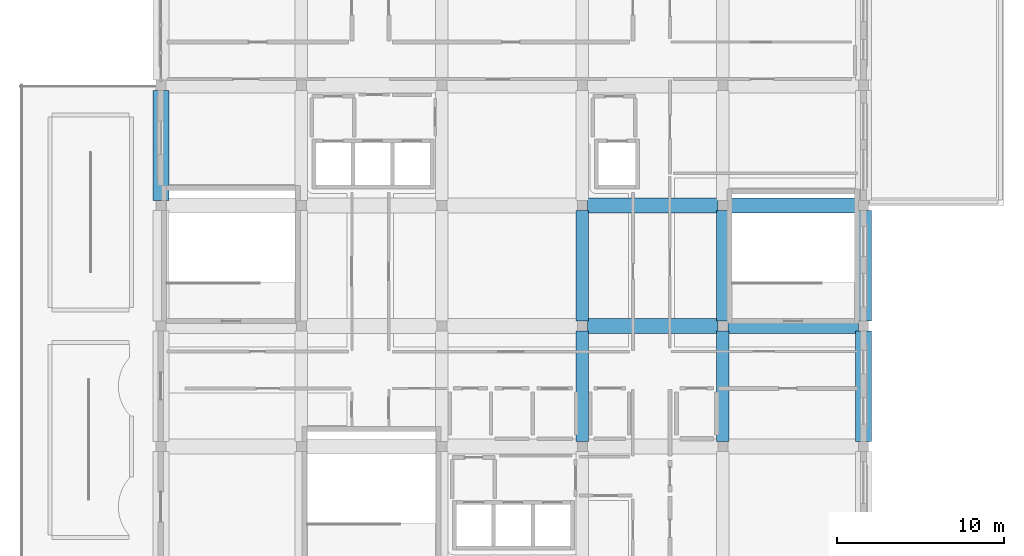
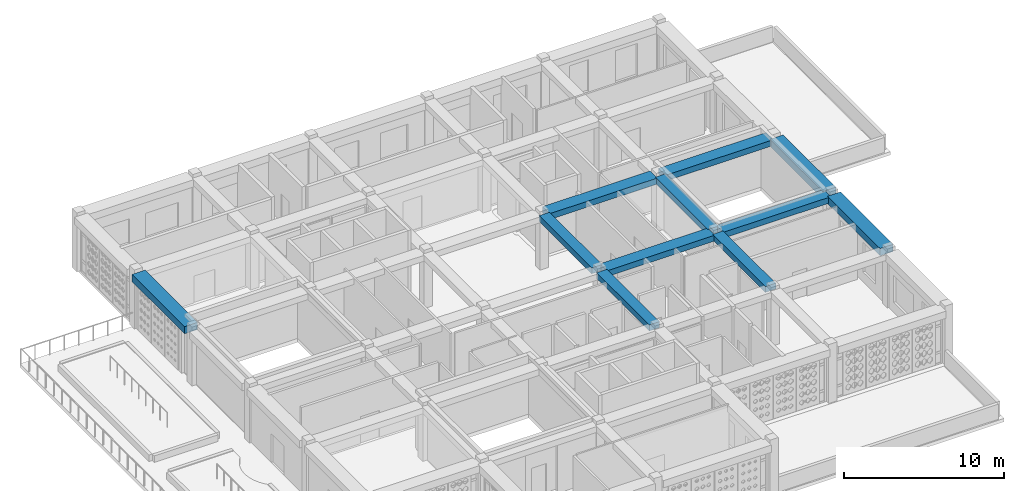
# One storey, part 8 of 28: 11 beams.
"""IFC4 building model written with IfcOpenShell, lengths in metres."""

from ifc_helpers import new_model, si_unit, derived_unit, direction, frame, origin, origin_2d, place, context, subcontext, project, spatial, rectangle, extrude, material, material_profile, profile_set, type_object, element, save


model = new_model("IFC4")

# Units and contexts
model_context = context("Model", 3, precision=1e-05, world=origin(), true_north=direction((0.0, 1.0)))
body_context = subcontext(model_context, "Body", "Model", "MODEL_VIEW")
ifc_project = project(units=[si_unit("LENGTHUNIT", "METRE"), si_unit("AREAUNIT", "SQUARE_METRE"), si_unit("VOLUMEUNIT", "CUBIC_METRE"), si_unit("PLANEANGLEUNIT", "RADIAN"), si_unit("MASSUNIT", "GRAM", prefix="KILO"), derived_unit("THERMALTRANSMITTANCEUNIT", [(si_unit("POWERUNIT", "WATT"), 1), (si_unit("LENGTHUNIT", "METRE"), -2), (si_unit("THERMODYNAMICTEMPERATUREUNIT", "KELVIN"), -1)])], contexts=[model_context])

# Site, building, storey
site_placement = place(None, origin())
site = spatial("IfcSite", under=ifc_project, at=site_placement, CompositionType="ELEMENT")
building_placement = place(site_placement, origin())
building = spatial("IfcBuilding", under=site, at=building_placement, Name="Veybourne Emporium", CompositionType="ELEMENT")
storey_placement = place(building_placement, frame((0.0, 0.0, 32.10009765625)))
storey = spatial("IfcBuildingStorey", under=building, at=storey_placement, Name="L07", CompositionType="ELEMENT", Elevation=32.10009765625)

# Beams
ifc_material = material(Name="Concrete C32/40", Category="concrete")
ifc_material_profile_1 = material_profile(ifc_material, rectangle(XDim=0.89990234375, YDim=0.449951171875, at=origin_2d()), Name="RC 900x450")
ifc_profile_set_1 = profile_set([ifc_material_profile_1], Name="Concrete C32/40")
beam_type_1 = type_object("IfcBeamType", Name="RCBeam_BB-03", PredefinedType="BEAM", material=ifc_profile_set_1)
for number, where, z_axis, x_axis, name in (
    (1, (33.89990234375, 28.800048828125, 4.014892578125), (1.0, 0.0, 0.0), (0.0, 1.0, 0.0), "L07 X-grid beam BB-03 (4,4)"),
    (2, (33.89990234375, 36.0, 4.014892578125), (1.0, 0.0, 0.0), (0.0, 1.0, 0.0), "L07 X-grid beam BB-03 (4,5)"),
    (3, (42.300048828125, 28.800048828125, 4.014892578125), (1.0, 0.0, 0.0), (0.0, 1.0, 0.0), "L07 X-grid beam BB-03 (5,4)"),
    (4, (42.300048828125, 36.0, 4.014892578125), (1.0, 0.0, 0.0), (0.0, 1.0, 0.0), "L07 X-grid beam BB-03 (5,5)"),
):
    element("IfcBeam", number, at=place(storey_placement, frame(where, z_axis=z_axis, x_axis=x_axis)), inside=storey, type_object=beam_type_1, Name=name, PredefinedType="BEAM", context=body_context, shape_type="SweptSolid", body=[
        extrude(rectangle(XDim=0.89990234375, YDim=0.449951171875, at=origin_2d()), origin(), (0.0, 0.0, 1.0), 7.800048828125),
    ])
ifc_material_profile_2 = material_profile(ifc_material, rectangle(XDim=0.75, YDim=0.449951171875, at=origin_2d()), Name="RC 750x450")
ifc_profile_set_2 = profile_set([ifc_material_profile_2], Name="Concrete C32/40")
beam_type_2 = type_object("IfcBeamType", Name="RCBeam_BB-04", PredefinedType="BEAM", material=ifc_profile_set_2)
beam_1_placement = place(storey_placement, frame((33.60009765625, 21.89990234375, 4.014892578125), z_axis=(0.0, 1.0, 0.0), x_axis=(-1.0, 0.0, 0.0)))
element("IfcBeam", 5, at=beam_1_placement, inside=storey, type_object=beam_type_2, Name="L07 Y-grid beam BB-04 (4,3)", PredefinedType="BEAM", context=body_context, shape_type="SweptSolid", body=[
    extrude(rectangle(XDim=0.75, YDim=0.449951171875, at=origin_2d()), origin(), (0.0, 0.0, 1.0), 6.60009765625),
])
beam_2_placement = place(storey_placement, frame((33.60009765625, 29.10009765625, 4.014892578125), z_axis=(0.0, 1.0, 0.0), x_axis=(-1.0, 0.0, 0.0)))
element("IfcBeam", 6, at=beam_2_placement, inside=storey, type_object=beam_type_2, Name="L07 Y-grid beam BB-04 (4,4)", PredefinedType="BEAM", context=body_context, shape_type="SweptSolid", body=[
    extrude(rectangle(XDim=0.75, YDim=0.449951171875, at=origin_2d()), origin(), (0.0, 0.0, 1.0), 6.599853515625),
])
beam_3_placement = place(storey_placement, frame((42.0, 21.89990234375, 4.014892578125), z_axis=(0.0, 1.0, 0.0), x_axis=(-1.0, 0.0, 0.0)))
element("IfcBeam", 7, at=beam_3_placement, inside=storey, type_object=beam_type_2, Name="L07 Y-grid beam BB-04 (5,3)", PredefinedType="BEAM", context=body_context, shape_type="SweptSolid", body=[
    extrude(rectangle(XDim=0.75, YDim=0.449951171875, at=origin_2d()), origin(), (0.0, 0.0, 1.0), 6.60009765625),
])
beam_4_placement = place(storey_placement, frame((42.0, 29.10009765625, 4.014892578125), z_axis=(0.0, 1.0, 0.0), x_axis=(-1.0, 0.0, 0.0)))
element("IfcBeam", 8, at=beam_4_placement, inside=storey, type_object=beam_type_2, Name="L07 Y-grid beam BB-04 (5,4)", PredefinedType="BEAM", context=body_context, shape_type="SweptSolid", body=[
    extrude(rectangle(XDim=0.75, YDim=0.449951171875, at=origin_2d()), origin(), (0.0, 0.0, 1.0), 6.599853515625),
])
ifc_material_profile_3 = material_profile(ifc_material, rectangle(XDim=0.949951171875, YDim=0.550048828125, at=origin_2d()), Name="RC 950x550")
ifc_profile_set_3 = profile_set([ifc_material_profile_3], Name="Concrete C32/40")
beam_type_3 = type_object("IfcBeamType", Name="RCBeam_EB-01", PredefinedType="SPANDREL", material=ifc_profile_set_3)
beam_5_placement = place(storey_placement, frame((8.39990234375, 36.300048828125, 3.96484375), z_axis=(0.0, 1.0, 0.0), x_axis=(-1.0, 0.0, 0.0)))
element("IfcBeam", 9, at=beam_5_placement, inside=storey, type_object=beam_type_3, Name="L07 Y-grid beam EB-01 (1,5)", PredefinedType="SPANDREL", context=body_context, shape_type="SweptSolid", body=[
    extrude(rectangle(XDim=0.949951171875, YDim=0.550048828125, at=origin_2d()), origin(), (0.0, 0.0, 1.0), 6.599853515625),
])
beam_6_placement = place(storey_placement, frame((50.39990234375, 21.89990234375, 3.96484375), z_axis=(0.0, 1.0, 0.0), x_axis=(-1.0, 0.0, 0.0)))
element("IfcBeam", 10, at=beam_6_placement, inside=storey, type_object=beam_type_3, Name="L07 Y-grid beam EB-01 (6,3)", PredefinedType="SPANDREL", context=body_context, shape_type="SweptSolid", body=[
    extrude(rectangle(XDim=0.949951171875, YDim=0.550048828125, at=origin_2d()), origin(), (0.0, 0.0, 1.0), 6.60009765625),
])
beam_7_placement = place(storey_placement, frame((50.39990234375, 29.10009765625, 3.96484375), z_axis=(0.0, 1.0, 0.0), x_axis=(-1.0, 0.0, 0.0)))
element("IfcBeam", 11, at=beam_7_placement, inside=storey, type_object=beam_type_3, Name="L07 Y-grid beam EB-01 (6,4)", PredefinedType="SPANDREL", context=body_context, shape_type="SweptSolid", body=[
    extrude(rectangle(XDim=0.949951171875, YDim=0.550048828125, at=origin_2d()), origin(), (0.0, 0.0, 1.0), 6.599853515625),
])

save(model, "model.ifc")
